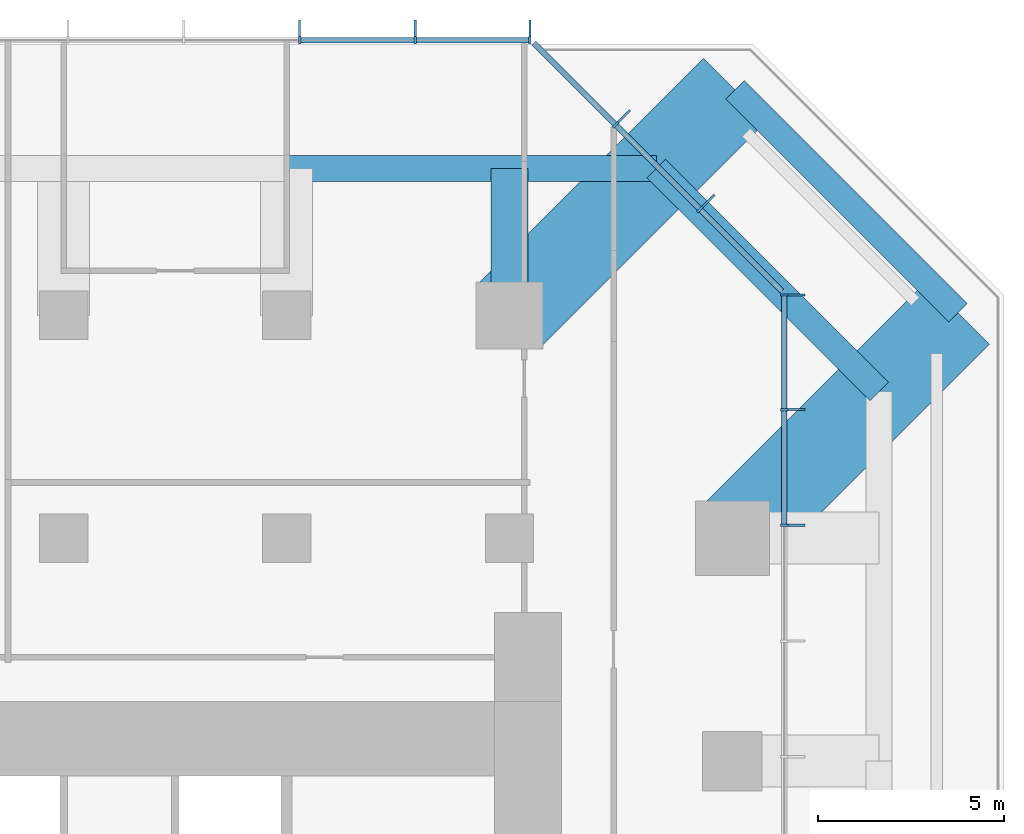
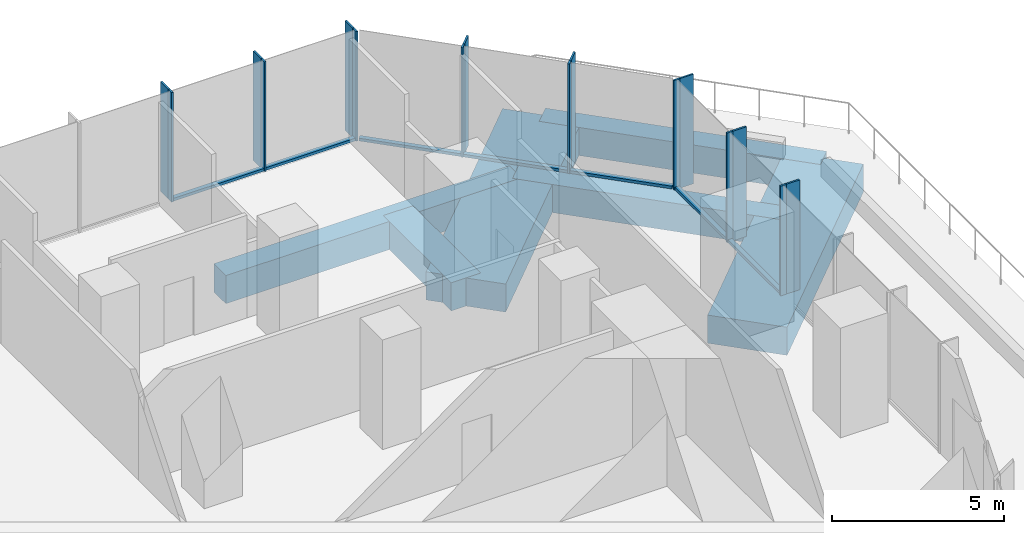
# One storey, part 6 of 11: 23 members, 6 beams, 3 elements without a shape of their own.
"""IFC4 building model written with IfcOpenShell, lengths in metres."""

from ifc_helpers import new_model, si_unit, direction, frame, origin, origin_2d, place, context, subcontext, project, spatial, rectangle, extrude, material, layer, layer_set, material_profile, profile_set, type_object, element, aggregate, save


model = new_model("IFC4")

# Units and contexts
model_context = context("Model", 3, precision=1e-05, world=origin(), true_north=direction((0.0, 1.0)))
body_context = subcontext(model_context, "Body", "Model", "MODEL_VIEW")
ifc_project = project(units=[si_unit("LENGTHUNIT", "METRE"), si_unit("AREAUNIT", "SQUARE_METRE"), si_unit("VOLUMEUNIT", "CUBIC_METRE"), si_unit("PLANEANGLEUNIT", "RADIAN"), si_unit("MASSUNIT", "GRAM", prefix="KILO")], contexts=[model_context])

# Site, building, storey
site_placement = place(None, origin())
site = spatial("IfcSite", under=ifc_project, at=site_placement, CompositionType="ELEMENT")
building_placement = place(site_placement, origin())
building = spatial("IfcBuilding", under=site, at=building_placement, Name="Highveld Stack Headquarters", CompositionType="ELEMENT")
storey_placement = place(building_placement, frame((0.0, 0.0, 188.89990234375)))
storey = spatial("IfcBuildingStorey", under=building, at=storey_placement, Name="L46", CompositionType="ELEMENT", Elevation=188.89990234375)

# Beams
ifc_material_1 = material(Name="Concrete C60/75", Category="concrete")
ifc_material_profile_1 = material_profile(ifc_material_1, rectangle(XDim=1.0, YDim=1.0, at=origin_2d()), Name="RC 1000x1000")
ifc_profile_set_1 = profile_set([ifc_material_profile_1], Name="Concrete C60/75")
beam_type_1 = type_object("IfcBeamType", Name="CANTILEVER RIB RC 1000x1000", PredefinedType="USERDEFINED", material=ifc_profile_set_1)
beam_1_placement = place(storey_placement, frame((18.0, 24.0, -0.75), z_axis=(0.0, 1.0, 0.0), x_axis=(-1.0, 0.0, 0.0)))
element("IfcBeam", 1, at=beam_1_placement, inside=storey, type_object=beam_type_1, Name="Cantilever rib 9/J L46", ObjectType="CANTILEVER RIB", PredefinedType="USERDEFINED", context=body_context, shape_type="SweptSolid", body=[
    extrude(rectangle(XDim=1.0, YDim=1.0, at=origin_2d()), origin(), (0.0, 0.0, 1.0), 3.949951171875),
])
ifc_material_2 = material(Name="Concrete C60/75", Category="concrete")
ifc_material_profile_2 = material_profile(ifc_material_2, rectangle(XDim=2.39990234375, YDim=1.0, at=origin_2d()), Name="RC 2400x1000")
ifc_profile_set_2 = profile_set([ifc_material_profile_2], Name="Concrete C60/75")
beam_type_2 = type_object("IfcBeamType", Name="CANTILEVER RIB RC 2400x1000", PredefinedType="USERDEFINED", material=ifc_profile_set_2)
for number, where, z_axis, x_axis, name in (
    (2, (18.0, 24.0, -0.75), (0.707106781187, 0.707106781187, 0.0), (-0.707106781187, 0.707106781187, 0.0), "Cantilever rib 9/J L46"),
    (3, (24.0, 18.0, -0.75), (0.707106781187, 0.707106781187, 0.0), (-0.707106781187, 0.707106781187, 0.0), "Cantilever rib 10/H L46"),
):
    element("IfcBeam", number, at=place(storey_placement, frame(where, z_axis=z_axis, x_axis=x_axis)), inside=storey, type_object=beam_type_2, Name=name, ObjectType="CANTILEVER RIB", PredefinedType="USERDEFINED", context=body_context, shape_type="SweptSolid", body=[
        extrude(rectangle(XDim=2.39990234375, YDim=1.0, at=origin_2d()), origin(), (0.0, 0.0, 1.0), 8.585693359375),
    ])

# Curtain wall, members
ifc_material_3 = material(Name="Aluminium bronze anodised", Category="aluminium")
ifc_layer_1 = layer(ifc_material_3, 0.199951171875)
ifc_layer_set_1 = layer_set([ifc_layer_1], Name="Aluminium bronze anodised")
curtain_wall_type_1 = type_object("IfcCurtainWallType", Name="CW1 TOWER UNITISED CURTAIN WALL", PredefinedType="NOTDEFINED", material=ifc_layer_set_1)
curtain_wall_1_placement = place(storey_placement, origin())
curtain_wall_1 = element("IfcCurtainWall", 4, at=curtain_wall_1_placement, inside=storey, type_object=curtain_wall_type_1, Name="Curtain wall CW1 L46 E-2", PredefinedType="NOTDEFINED")
ifc_material_4 = material(Name="Aluminium bronze anodised", Category="aluminium")
ifc_material_profile_3 = material_profile(ifc_material_4, rectangle(XDim=0.449951171875, YDim=0.06005859375, at=origin_2d()), Name="FIN 450x60")
ifc_profile_set_3 = profile_set([ifc_material_profile_3], Name="Aluminium bronze anodised")
member_type_1 = type_object("IfcMemberType", Name="CW1 BRONZE FIN 450x60", PredefinedType="USERDEFINED", material=ifc_profile_set_3)
member_1_placement = place(storey_placement, frame((25.72509765625, 18.347900390625, 0.0), z_axis=(0.0, 0.0, 1.0), x_axis=(-1.0, 0.0, 0.0)))
member_1 = element("IfcMember", 5, at=member_1_placement, type_object=member_type_1, Name="CW1 fin L46 4", ObjectType="FIN", PredefinedType="USERDEFINED", context=body_context, shape_type="SweptSolid", body=[
    extrude(rectangle(XDim=0.449951171875, YDim=0.06005859375, at=origin_2d()), origin(), (0.0, 0.0, 1.0), 3.900146484375),
])
member_2_placement = place(storey_placement, frame((25.72509765625, 21.4638671875, 0.0), z_axis=(0.0, 0.0, 1.0), x_axis=(-1.0, 0.0, 0.0)))
member_2 = element("IfcMember", 6, at=member_2_placement, type_object=member_type_1, Name="CW1 fin L46 5", ObjectType="FIN", PredefinedType="USERDEFINED", context=body_context, shape_type="SweptSolid", body=[
    extrude(rectangle(XDim=0.449951171875, YDim=0.06005859375, at=origin_2d()), origin(), (0.0, 0.0, 1.0), 3.900146484375),
])
member_3_placement = place(storey_placement, frame((25.72509765625, 24.54736328125, 0.0), z_axis=(0.0, 0.0, 1.0), x_axis=(-1.0, 0.0, 0.0)))
member_3 = element("IfcMember", 7, at=member_3_placement, type_object=member_type_1, Name="CW1 fin L46 6", ObjectType="FIN", PredefinedType="USERDEFINED", context=body_context, shape_type="SweptSolid", body=[
    extrude(rectangle(XDim=0.449951171875, YDim=0.06005859375, at=origin_2d()), origin(), (0.0, 0.0, 1.0), 3.900146484375),
])

curtain_wall_2_placement = place(storey_placement, origin())
curtain_wall_2 = element("IfcCurtainWall", 8, at=curtain_wall_2_placement, inside=storey, type_object=curtain_wall_type_1, Name="Curtain wall CW1 L46 N", PredefinedType="NOTDEFINED")
member_4_placement = place(storey_placement, frame((18.54736328125, 31.72509765625, 0.0), z_axis=(0.0, 0.0, 1.0), x_axis=(0.0, -1.0, 0.0)))
member_4 = element("IfcMember", 9, at=member_4_placement, type_object=member_type_1, Name="CW1 fin L46 1", ObjectType="FIN", PredefinedType="USERDEFINED", context=body_context, shape_type="SweptSolid", body=[
    extrude(rectangle(XDim=0.449951171875, YDim=0.06005859375, at=origin_2d()), origin(), (0.0, 0.0, 1.0), 3.900146484375),
])
member_5_placement = place(storey_placement, frame((15.4638671875, 31.72509765625, 0.0), z_axis=(0.0, 0.0, 1.0), x_axis=(0.0, -1.0, 0.0)))
member_5 = element("IfcMember", 10, at=member_5_placement, type_object=member_type_1, Name="CW1 fin L46 2", ObjectType="FIN", PredefinedType="USERDEFINED", context=body_context, shape_type="SweptSolid", body=[
    extrude(rectangle(XDim=0.449951171875, YDim=0.06005859375, at=origin_2d()), origin(), (0.0, 0.0, 1.0), 3.900146484375),
])
member_6_placement = place(storey_placement, frame((12.347900390625, 31.72509765625, 0.0), z_axis=(0.0, 0.0, 1.0), x_axis=(0.0, -1.0, 0.0)))
member_6 = element("IfcMember", 11, at=member_6_placement, type_object=member_type_1, Name="CW1 fin L46 3", ObjectType="FIN", PredefinedType="USERDEFINED", context=body_context, shape_type="SweptSolid", body=[
    extrude(rectangle(XDim=0.449951171875, YDim=0.06005859375, at=origin_2d()), origin(), (0.0, 0.0, 1.0), 3.900146484375),
])

# Member
ifc_material_5 = material(Name="Aluminium bronze anodised", Category="aluminium")
ifc_material_profile_4 = material_profile(ifc_material_5, rectangle(XDim=0.199951171875, YDim=0.06494140625, at=origin_2d()), Name="CW1 MULLION 65x200")
ifc_profile_set_4 = profile_set([ifc_material_profile_4], Name="Aluminium bronze anodised")
member_type_2 = type_object("IfcMemberType", Name="CW1 MULLION 65x200", PredefinedType="MULLION", material=ifc_profile_set_4)
member_7_placement = place(storey_placement, frame((25.39990234375, 18.347900390625, 0.0), z_axis=(0.0, 0.0, 1.0), x_axis=(-1.0, 0.0, 0.0)))
member_7 = element("IfcMember", 12, at=member_7_placement, type_object=member_type_2, Name="CW1 mullion L46 4", PredefinedType="MULLION", context=body_context, shape_type="SweptSolid", body=[
    extrude(rectangle(XDim=0.199951171875, YDim=0.06494140625, at=origin_2d()), origin(), (0.0, 0.0, 1.0), 3.900146484375),
])

member_8_placement = place(storey_placement, frame((25.39990234375, 21.4638671875, 0.0), z_axis=(0.0, 0.0, 1.0), x_axis=(-1.0, 0.0, 0.0)))
member_8 = element("IfcMember", 13, at=member_8_placement, type_object=member_type_2, Name="CW1 mullion L46 5", PredefinedType="MULLION", context=body_context, shape_type="SweptSolid", body=[
    extrude(rectangle(XDim=0.199951171875, YDim=0.06494140625, at=origin_2d()), origin(), (0.0, 0.0, 1.0), 3.900146484375),
])

member_9_placement = place(storey_placement, frame((25.39990234375, 24.54736328125, 0.0), z_axis=(0.0, 0.0, 1.0), x_axis=(-1.0, 0.0, 0.0)))
member_9 = element("IfcMember", 14, at=member_9_placement, type_object=member_type_2, Name="CW1 mullion L46 6", PredefinedType="MULLION", context=body_context, shape_type="SweptSolid", body=[
    extrude(rectangle(XDim=0.199951171875, YDim=0.06494140625, at=origin_2d()), origin(), (0.0, 0.0, 1.0), 3.900146484375),
])

member_10_placement = place(storey_placement, frame((18.54736328125, 31.39990234375, 0.0), z_axis=(0.0, 0.0, 1.0), x_axis=(0.0, -1.0, 0.0)))
member_10 = element("IfcMember", 15, at=member_10_placement, type_object=member_type_2, Name="CW1 mullion L46 1", PredefinedType="MULLION", context=body_context, shape_type="SweptSolid", body=[
    extrude(rectangle(XDim=0.199951171875, YDim=0.06494140625, at=origin_2d()), origin(), (0.0, 0.0, 1.0), 3.900146484375),
])

member_11_placement = place(storey_placement, frame((15.4638671875, 31.39990234375, 0.0), z_axis=(0.0, 0.0, 1.0), x_axis=(0.0, -1.0, 0.0)))
member_11 = element("IfcMember", 16, at=member_11_placement, type_object=member_type_2, Name="CW1 mullion L46 2", PredefinedType="MULLION", context=body_context, shape_type="SweptSolid", body=[
    extrude(rectangle(XDim=0.199951171875, YDim=0.06494140625, at=origin_2d()), origin(), (0.0, 0.0, 1.0), 3.900146484375),
])

member_12_placement = place(storey_placement, frame((12.347900390625, 31.39990234375, 0.0), z_axis=(0.0, 0.0, 1.0), x_axis=(0.0, -1.0, 0.0)))
member_12 = element("IfcMember", 17, at=member_12_placement, type_object=member_type_2, Name="CW1 mullion L46 3", PredefinedType="MULLION", context=body_context, shape_type="SweptSolid", body=[
    extrude(rectangle(XDim=0.199951171875, YDim=0.06494140625, at=origin_2d()), origin(), (0.0, 0.0, 1.0), 3.900146484375),
])

ifc_material_6 = material(Name="Aluminium bronze anodised", Category="aluminium")
ifc_material_profile_5 = material_profile(ifc_material_6, rectangle(XDim=0.14990234375, YDim=0.10009765625, at=origin_2d()), Name="CW1 TRANSOM 150x100")
ifc_profile_set_5 = profile_set([ifc_material_profile_5], Name="Aluminium bronze anodised")
member_type_3 = type_object("IfcMemberType", Name="CW1 STACK TRANSOM 150x100", PredefinedType="USERDEFINED", material=ifc_profile_set_5)
member_13_placement = place(storey_placement, frame((25.39990234375, 18.38037109375, 0.050048828125), z_axis=(0.0, 1.0, 0.0), x_axis=(-1.0, 0.0, 0.0)))
member_13 = element("IfcMember", 18, at=member_13_placement, type_object=member_type_3, Name="CW1 transom L46 9.1", ObjectType="TRANSOM", PredefinedType="USERDEFINED", context=body_context, shape_type="SweptSolid", body=[
    extrude(rectangle(XDim=0.14990234375, YDim=0.10009765625, at=origin_2d()), origin(), (0.0, 0.0, 1.0), 3.051025390625),
])

member_14_placement = place(storey_placement, frame((25.39990234375, 21.496337890625, 0.050048828125), z_axis=(0.0, 1.0, 0.0), x_axis=(-1.0, 0.0, 0.0)))
member_14 = element("IfcMember", 19, at=member_14_placement, type_object=member_type_3, Name="CW1 transom L46 10.1", ObjectType="TRANSOM", PredefinedType="USERDEFINED", context=body_context, shape_type="SweptSolid", body=[
    extrude(rectangle(XDim=0.14990234375, YDim=0.10009765625, at=origin_2d()), origin(), (0.0, 0.0, 1.0), 3.0185546875),
])

aggregate(curtain_wall_1, [member_7, member_1, member_8, member_2, member_9, member_3, member_13, member_14])

member_15_placement = place(storey_placement, frame((18.514892578125, 31.39990234375, 0.050048828125), z_axis=(-1.0, 0.0, 0.0), x_axis=(0.0, -1.0, 0.0)))
member_15 = element("IfcMember", 20, at=member_15_placement, type_object=member_type_3, Name="CW1 transom L46 1.1", ObjectType="TRANSOM", PredefinedType="USERDEFINED", context=body_context, shape_type="SweptSolid", body=[
    extrude(rectangle(XDim=0.14990234375, YDim=0.10009765625, at=origin_2d()), origin(), (0.0, 0.0, 1.0), 3.0185546875),
])

member_16_placement = place(storey_placement, frame((15.431396484375, 31.39990234375, 0.050048828125), z_axis=(-1.0, 0.0, 0.0), x_axis=(0.0, -1.0, 0.0)))
member_16 = element("IfcMember", 21, at=member_16_placement, type_object=member_type_3, Name="CW1 transom L46 2.1", ObjectType="TRANSOM", PredefinedType="USERDEFINED", context=body_context, shape_type="SweptSolid", body=[
    extrude(rectangle(XDim=0.14990234375, YDim=0.10009765625, at=origin_2d()), origin(), (0.0, 0.0, 1.0), 3.051025390625),
])

aggregate(curtain_wall_2, [member_10, member_4, member_11, member_5, member_12, member_6, member_15, member_16])

# Curtain wall, members
ifc_material_7 = material(Name="Aluminium bronze anodised", Category="aluminium")
ifc_layer_2 = layer(ifc_material_7, 0.199951171875)
ifc_layer_set_2 = layer_set([ifc_layer_2], Name="Aluminium bronze anodised")
curtain_wall_type_2 = type_object("IfcCurtainWallType", Name="CW2 TOWER CHAMFER UNITISED CURTAIN WALL", PredefinedType="NOTDEFINED", material=ifc_layer_set_2)
curtain_wall_3_placement = place(storey_placement, origin())
curtain_wall_3 = element("IfcCurtainWall", 22, at=curtain_wall_3_placement, inside=storey, type_object=curtain_wall_type_2, Name="Curtain wall CW2 L46 NE", PredefinedType="NOTDEFINED")
ifc_material_8 = material(Name="Aluminium bronze anodised", Category="aluminium")
ifc_material_profile_6 = material_profile(ifc_material_8, rectangle(XDim=0.449951171875, YDim=0.06005859375, at=origin_2d()), Name="FIN 450x60")
ifc_profile_set_6 = profile_set([ifc_material_profile_6], Name="Aluminium bronze anodised")
member_type_4 = type_object("IfcMemberType", Name="CW2 BRONZE FIN 450x60", PredefinedType="USERDEFINED", material=ifc_profile_set_6)
member_17_placement = place(storey_placement, frame((23.3564453125, 27.0830078125, 0.0), z_axis=(0.0, 0.0, 1.0), x_axis=(-0.707106781187, -0.707106781187, 0.0)))
member_17 = element("IfcMember", 23, at=member_17_placement, type_object=member_type_4, Name="CW2 fin L46 1", ObjectType="FIN", PredefinedType="USERDEFINED", context=body_context, shape_type="SweptSolid", body=[
    extrude(rectangle(XDim=0.449951171875, YDim=0.06005859375, at=origin_2d()), origin(), (0.0, 0.0, 1.0), 3.900146484375),
])
member_18_placement = place(storey_placement, frame((21.0830078125, 29.3564453125, 0.0), z_axis=(0.0, 0.0, 1.0), x_axis=(-0.707106781187, -0.707106781187, 0.0)))
member_18 = element("IfcMember", 24, at=member_18_placement, type_object=member_type_4, Name="CW2 fin L46 2", ObjectType="FIN", PredefinedType="USERDEFINED", context=body_context, shape_type="SweptSolid", body=[
    extrude(rectangle(XDim=0.449951171875, YDim=0.06005859375, at=origin_2d()), origin(), (0.0, 0.0, 1.0), 3.900146484375),
])
ifc_material_9 = material(Name="Aluminium bronze anodised", Category="aluminium")
ifc_material_profile_7 = material_profile(ifc_material_9, rectangle(XDim=0.199951171875, YDim=0.06494140625, at=origin_2d()), Name="CW2 MULLION 65x200")
ifc_profile_set_7 = profile_set([ifc_material_profile_7], Name="Aluminium bronze anodised")
member_type_5 = type_object("IfcMemberType", Name="CW2 MULLION 65x200", PredefinedType="MULLION", material=ifc_profile_set_7)
member_19_placement = place(storey_placement, frame((23.126708984375, 26.853271484375, 0.0), z_axis=(0.0, 0.0, 1.0), x_axis=(-0.707106781187, -0.707106781187, 0.0)))
member_19 = element("IfcMember", 25, at=member_19_placement, type_object=member_type_5, Name="CW2 mullion L46 1", PredefinedType="MULLION", context=body_context, shape_type="SweptSolid", body=[
    extrude(rectangle(XDim=0.199951171875, YDim=0.06494140625, at=origin_2d()), origin(), (0.0, 0.0, 1.0), 3.900146484375),
])
member_20_placement = place(storey_placement, frame((20.853271484375, 29.126708984375, 0.0), z_axis=(0.0, 0.0, 1.0), x_axis=(-0.707106781187, -0.707106781187, 0.0)))
member_20 = element("IfcMember", 26, at=member_20_placement, type_object=member_type_5, Name="CW2 mullion L46 2", PredefinedType="MULLION", context=body_context, shape_type="SweptSolid", body=[
    extrude(rectangle(XDim=0.199951171875, YDim=0.06494140625, at=origin_2d()), origin(), (0.0, 0.0, 1.0), 3.900146484375),
])
ifc_material_10 = material(Name="Aluminium bronze anodised", Category="aluminium")
ifc_material_profile_8 = material_profile(ifc_material_10, rectangle(XDim=0.14990234375, YDim=0.10009765625, at=origin_2d()), Name="CW2 TRANSOM 150x100")
ifc_profile_set_8 = profile_set([ifc_material_profile_8], Name="Aluminium bronze anodised")
member_type_6 = type_object("IfcMemberType", Name="CW2 STACK TRANSOM 150x100", PredefinedType="USERDEFINED", material=ifc_profile_set_8)
member_21_placement = place(storey_placement, frame((25.329345703125, 24.650634765625, 0.050048828125), z_axis=(-0.707106781187, 0.707106781187, 0.0), x_axis=(-0.707106781187, -0.707106781187, 0.0)))
member_21 = element("IfcMember", 27, at=member_21_placement, type_object=member_type_6, Name="CW2 transom L46 1.1", ObjectType="TRANSOM", PredefinedType="USERDEFINED", context=body_context, shape_type="SweptSolid", body=[
    extrude(rectangle(XDim=0.14990234375, YDim=0.10009765625, at=origin_2d()), origin(), (0.0, 0.0, 1.0), 3.08251953125),
])
member_22_placement = place(storey_placement, frame((23.103759765625, 26.876220703125, 0.050048828125), z_axis=(-0.707106781187, 0.707106781187, 0.0), x_axis=(-0.707106781187, -0.707106781187, 0.0)))
member_22 = element("IfcMember", 28, at=member_22_placement, type_object=member_type_6, Name="CW2 transom L46 2.1", ObjectType="TRANSOM", PredefinedType="USERDEFINED", context=body_context, shape_type="SweptSolid", body=[
    extrude(rectangle(XDim=0.14990234375, YDim=0.10009765625, at=origin_2d()), origin(), (0.0, 0.0, 1.0), 3.150146484375),
])
member_23_placement = place(storey_placement, frame((20.830322265625, 29.149658203125, 0.050048828125), z_axis=(-0.707106781187, 0.707106781187, 0.0), x_axis=(-0.707106781187, -0.707106781187, 0.0)))
member_23 = element("IfcMember", 29, at=member_23_placement, type_object=member_type_6, Name="CW2 transom L46 3.1", ObjectType="TRANSOM", PredefinedType="USERDEFINED", context=body_context, shape_type="SweptSolid", body=[
    extrude(rectangle(XDim=0.14990234375, YDim=0.10009765625, at=origin_2d()), origin(), (0.0, 0.0, 1.0), 3.08251953125),
])
aggregate(curtain_wall_3, [member_19, member_17, member_20, member_18, member_21, member_22, member_23])

# Beams
ifc_material_11 = material(Name="Concrete C60/75", Category="concrete")
ifc_material_profile_9 = material_profile(ifc_material_11, rectangle(XDim=0.699951171875, YDim=1.0, at=origin_2d()), Name="RC 700x1000")
ifc_profile_set_9 = profile_set([ifc_material_profile_9], Name="Concrete C60/75")
beam_type_3 = type_object("IfcBeamType", Name="RIB TIP BEAM RC 700x1000", PredefinedType="SPANDREL", material=ifc_profile_set_9)
beam_2_placement = place(storey_placement, frame((12.0, 27.949951171875, -0.75), z_axis=(1.0, 0.0, 0.0), x_axis=(0.0, 1.0, 0.0)))
element("IfcBeam", 30, at=beam_2_placement, inside=storey, type_object=beam_type_3, Name="Rib tip beam 8/J to 9/J L46", PredefinedType="SPANDREL", context=body_context, shape_type="SweptSolid", body=[
    extrude(rectangle(XDim=0.699951171875, YDim=1.0, at=origin_2d()), origin(), (0.0, 0.0, 1.0), 9.949951171875),
])
for number, where, z_axis, x_axis, name in (
    (31, (21.949951171875, 27.949951171875, -0.75), (0.707106781187, -0.707106781187, 0.0), (0.707106781187, 0.707106781187, 0.0), "Rib tip beam 9/J to 10/H chamfer L46"),
    (32, (24.071044921875, 30.071044921875, -0.75), (0.707106781187, -0.707106781187, 0.0), (0.707106781187, 0.707106781187, 0.0), "Rib tip beam 9/J to 10/H chamfer edge L46"),
):
    element("IfcBeam", number, at=place(storey_placement, frame(where, z_axis=z_axis, x_axis=x_axis)), inside=storey, type_object=beam_type_3, Name=name, PredefinedType="SPANDREL", context=body_context, shape_type="SweptSolid", body=[
        extrude(rectangle(XDim=0.699951171875, YDim=1.0, at=origin_2d()), origin(), (0.0, 0.0, 1.0), 8.4853515625),
    ])

save(model, "model.ifc")
